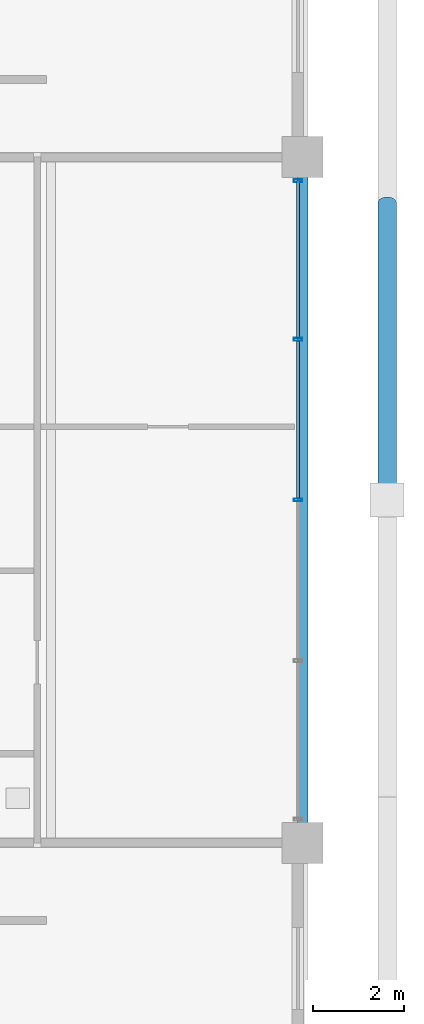
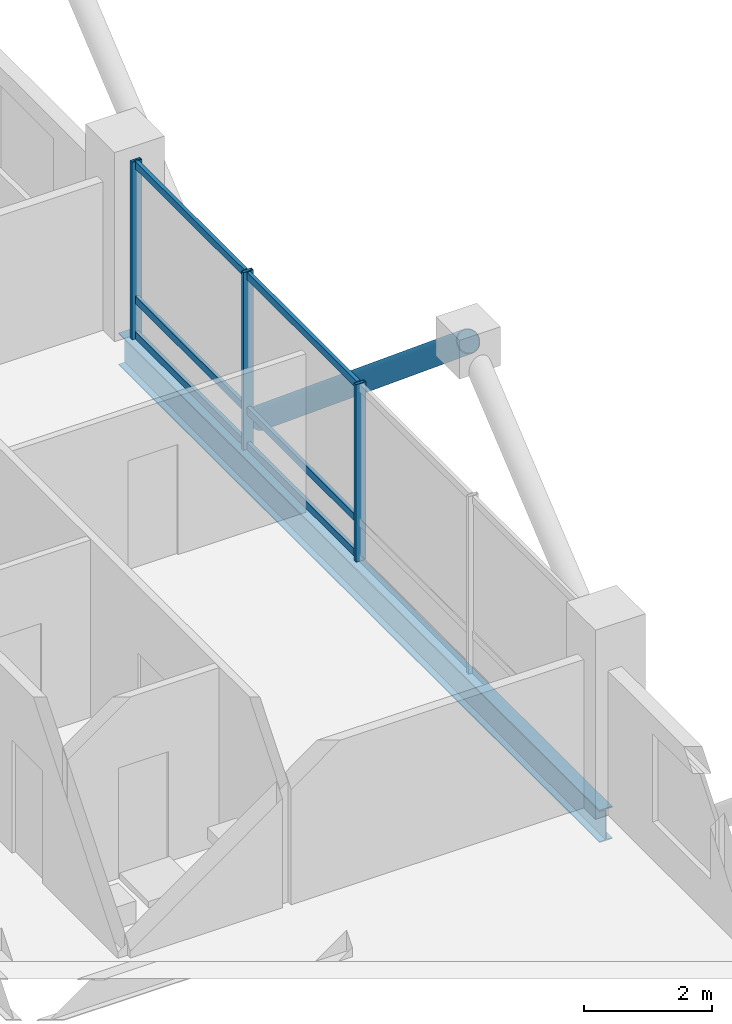
# One storey, part 12 of 23: 10 members, 1 beam, 1 element without a shape of its own.
"""IFC4 building model written with IfcOpenShell, lengths in metres."""

import ifcopenshell
import ifcopenshell.guid

model = None  # the IFC model being written
_history = None  # IfcOwnerHistory: only IFC2X3 demands one
_inside = {}  # id of a spatial element -> (the spatial element, [elements in it])
_under = {}  # id of a project, library or spatial element -> (it, [spatial elements below it])
_declared = {}  # id of a project -> (the project, [libraries it declares])
_typed = {}  # id of a type object -> (the type object, [elements of that type])
_made_of = {}  # id of a material, layer set ... -> (it, [elements and type objects made of it])


def new_model(schema):
    """Start an empty IFC model of exactly this schema.

    Asked for "IFC4X3", IfcOpenShell would pick the latest addendum, in which some entities
    have other attributes; the version numbers below select the first issue.
    IFC2X3 requires an IfcOwnerHistory on every rooted entity: one is made here for all.
    """
    global model, _history
    if schema == "IFC4X3":
        model = ifcopenshell.file(schema_version=(4, 3, 0, 0))
    else:
        model = ifcopenshell.file(schema=schema)
    _inside.clear()
    _under.clear()
    _declared.clear()
    _typed.clear()
    _made_of.clear()
    _history = None
    if model.schema == "IFC2X3":
        org = make("IfcOrganization", Name="unknown")
        user = make(
            "IfcPersonAndOrganization",
            ThePerson=make("IfcPerson", FamilyName="unknown"),
            TheOrganization=org,
        )
        app = make(
            "IfcApplication",
            ApplicationDeveloper=org,
            Version="unknown",
            ApplicationFullName="unknown",
            ApplicationIdentifier="unknown",
        )
        _history = make(
            "IfcOwnerHistory",
            OwningUser=user,
            OwningApplication=app,
            ChangeAction="ADDED",
            CreationDate=0,
        )
    return model


def make(cls, **values):
    """One entity of the class cls with the attributes given. An attribute that is None is left unset."""
    return model.create_entity(
        cls, **{name: value for name, value in values.items() if value is not None}
    )


def rooted(cls, **values):
    """An entity with a GlobalId (a new one), such as an element, a storey or a relation."""
    return make(cls, GlobalId=ifcopenshell.guid.new(), OwnerHistory=_history, **values)


def si_unit(unit_type, name, prefix=None):
    """IfcSIUnit, for example si_unit("LENGTHUNIT", "METRE", prefix="MILLI")."""
    return make("IfcSIUnit", UnitType=unit_type, Prefix=prefix, Name=name)


def assignment(units):
    """IfcUnitAssignment: the units of a project."""
    return None if units is None else make("IfcUnitAssignment", Units=units)


def point(xyz):
    """IfcCartesianPoint."""
    return None if xyz is None else make("IfcCartesianPoint", Coordinates=xyz)


def direction(xyz):
    """IfcDirection."""
    return None if xyz is None else make("IfcDirection", DirectionRatios=xyz)


def frame(location, z_axis=None, x_axis=None):
    """IfcAxis2Placement3D, a coordinate frame: its origin and axes. An axis left out is left unset."""
    return make(
        "IfcAxis2Placement3D",
        Location=point(location),
        Axis=direction(z_axis),
        RefDirection=direction(x_axis),
    )


def frame_2d(location, x_axis=None):
    """IfcAxis2Placement2D, a coordinate frame in the plane: its origin and x axis."""
    return make(
        "IfcAxis2Placement2D", Location=point(location), RefDirection=direction(x_axis)
    )


def origin():
    """The frame at (0, 0, 0) with its axes left unset."""
    return frame((0.0, 0.0, 0.0))


def origin_2d():
    """The frame at (0, 0) in the plane with its x axis left unset."""
    return frame_2d((0.0, 0.0))


def place(relative_to, where):
    """IfcLocalPlacement: puts the frame where relative to a parent placement (None: the world)."""
    return make(
        "IfcLocalPlacement", PlacementRelTo=relative_to, RelativePlacement=where
    )


def context(
    kind, dimensions, precision=None, world=None, true_north=None, identifier=None
):
    """IfcGeometricRepresentationContext, for example the 3D "Model" context."""
    return make(
        "IfcGeometricRepresentationContext",
        ContextIdentifier=identifier,
        ContextType=kind,
        CoordinateSpaceDimension=dimensions,
        Precision=precision,
        WorldCoordinateSystem=world,
        TrueNorth=true_north,
    )


def subcontext(parent, identifier, kind, view, scale=None):
    """IfcGeometricRepresentationSubContext, for example "Body" below "Model"."""
    return make(
        "IfcGeometricRepresentationSubContext",
        ContextIdentifier=identifier,
        ContextType=kind,
        ParentContext=parent,
        TargetScale=scale,
        TargetView=view,
    )


def project(units=None, contexts=None):
    """IfcProject with its units and contexts."""
    return rooted(
        "IfcProject",
        Name="project",
        RepresentationContexts=contexts,
        UnitsInContext=assignment(units),
    )


def spatial(cls, under=None, at=None, **own):
    """A site, building, storey or space (cls), placed at a placement, below another one or the project."""
    s = rooted(cls, ObjectPlacement=at, **own)
    if under is not None:
        _under.setdefault(under.id(), (under, []))[1].append(s)
    return s


def profile(cls, at=None, kind="AREA", **sizes):
    """A parametric profile (cls). Its sizes go by their IFC names, for example OverallWidth=200.0."""
    return make(cls, ProfileType=kind, Position=at, **sizes)


def hollow_rectangle(**sizes):
    """IfcRectangleHollowProfileDef."""
    return profile("IfcRectangleHollowProfileDef", **sizes)


def hollow_circle(**sizes):
    """IfcCircleHollowProfileDef."""
    return profile("IfcCircleHollowProfileDef", **sizes)


def i_section(**sizes):
    """IfcIShapeProfileDef."""
    return profile("IfcIShapeProfileDef", **sizes)


def extrude(swept, where, along, depth):
    """IfcExtrudedAreaSolid: the profile swept, set in the frame where, extruded along a direction by depth."""
    return make(
        "IfcExtrudedAreaSolid",
        SweptArea=swept,
        Position=where,
        ExtrudedDirection=direction(along),
        Depth=depth,
    )


def shape(context_of_items, identifier, shape_type, items):
    """IfcShapeRepresentation: the items that make up one representation, for example the "Body"."""
    return make(
        "IfcShapeRepresentation",
        ContextOfItems=context_of_items,
        RepresentationIdentifier=identifier,
        RepresentationType=shape_type,
        Items=items,
    )


def material(Name=None, Category=None):
    """IfcMaterial."""
    return make("IfcMaterial", Name=Name, Category=Category)


def layer(
    of_material, thickness, ventilated=None, Name=None, Category=None, Priority=None
):
    """IfcMaterialLayer: one layer of a wall or slab, of a material (None: an air gap)."""
    return make(
        "IfcMaterialLayer",
        Material=of_material,
        LayerThickness=thickness,
        IsVentilated=ventilated,
        Name=Name,
        Category=Category,
        Priority=Priority,
    )


def layer_set(layers, Name=None):
    """IfcMaterialLayerSet."""
    return make("IfcMaterialLayerSet", MaterialLayers=layers, LayerSetName=Name)


def material_profile(
    of_material, cross_section, Name=None, Category=None, Priority=None
):
    """IfcMaterialProfile: a cross section and its material."""
    return make(
        "IfcMaterialProfile",
        Name=Name,
        Material=of_material,
        Profile=cross_section,
        Priority=Priority,
        Category=Category,
    )


def profile_set(profiles, Name=None, composite=None):
    """IfcMaterialProfileSet."""
    return make(
        "IfcMaterialProfileSet",
        Name=Name,
        MaterialProfiles=profiles,
        CompositeProfile=composite,
    )


def made_of(thing, what):
    """Note that an element or type object is made of a material, layer set ...; save() writes the relation."""
    if what is not None:
        _made_of.setdefault(what.id(), (what, []))[1].append(thing)
    return thing


def type_object(cls, material=None, **own):
    """A type object (cls), such as IfcWallType, which elements share."""
    return made_of(rooted(cls, **own), material)


def element(
    cls,
    number,
    at=None,
    inside=None,
    cuts=None,
    type_object=None,
    material=None,
    context=None,
    identifier="Body",
    shape_type=None,
    held_by="IfcProductDefinitionShape",
    body=None,
    shapes=None,
    **own,
):
    """One element of the class cls, such as IfcWall. Its Tag is "e" and its number.

    at: its placement. inside: the storey or other place that contains it. cuts: it is an
    opening in that element (IfcRelVoidsElement). A single representation is given by context,
    identifier, shape_type and body (its items); several are given by shapes. held_by: the class
    of the entity that holds the representations. save() writes the other relations.
    """
    e = rooted(cls, Tag="e%d" % number, ObjectPlacement=at, **own)
    if body is not None:
        shapes = [shape(context, identifier, shape_type, body)]
    if shapes is not None:
        e.Representation = make(held_by, Representations=shapes)
    if inside is not None:
        _inside.setdefault(inside.id(), (inside, []))[1].append(e)
    if cuts is not None:
        rooted(
            "IfcRelVoidsElement", RelatingBuildingElement=cuts, RelatedOpeningElement=e
        )
    if type_object is not None:
        _typed.setdefault(type_object.id(), (type_object, []))[1].append(e)
    return made_of(e, material)


def aggregate(whole, parts):
    """IfcRelAggregates: a whole, such as a stair, and the parts it consists of."""
    return rooted("IfcRelAggregates", RelatingObject=whole, RelatedObjects=parts)


def save(model, path):
    """Write the relations noted so far, then the file.

    IfcRelAggregates (storeys below a building ...), IfcRelContainedInSpatialStructure (elements
    in a storey), IfcRelDefinesByType, IfcRelAssociatesMaterial and IfcRelDeclares: one each for
    every whole, place, type object, material and project.
    """
    for whole, parts in _under.values():
        aggregate(whole, parts)
    for where, things in _inside.values():
        rooted(
            "IfcRelContainedInSpatialStructure",
            RelatedElements=things,
            RelatingStructure=where,
        )
    for kind, things in _typed.values():
        rooted("IfcRelDefinesByType", RelatedObjects=things, RelatingType=kind)
    for what, things in _made_of.values():
        rooted("IfcRelAssociatesMaterial", RelatedObjects=things, RelatingMaterial=what)
    for by, libraries in _declared.values():
        rooted("IfcRelDeclares", RelatingContext=by, RelatedDefinitions=libraries)
    model.write(path)


model = new_model("IFC4")

# Units and contexts
model_context = context("Model", 3, precision=1e-05, world=origin(), true_north=direction((0.0, 1.0)))
body_context = subcontext(model_context, "Body", "Model", "MODEL_VIEW")
ifc_project = project(units=[si_unit("LENGTHUNIT", "METRE"), si_unit("AREAUNIT", "SQUARE_METRE"), si_unit("VOLUMEUNIT", "CUBIC_METRE"), si_unit("PLANEANGLEUNIT", "RADIAN"), si_unit("MASSUNIT", "GRAM", prefix="KILO")], contexts=[model_context])

# Site, building, storey
site_placement = place(None, origin())
site = spatial("IfcSite", under=ifc_project, at=site_placement, CompositionType="ELEMENT")
building_placement = place(site_placement, origin())
building = spatial("IfcBuilding", under=site, at=building_placement, Name="Barlavira Tower and Art Museum", CompositionType="ELEMENT")
storey_placement = place(building_placement, frame((0.0, 0.0, 290.699951171875)))
storey = spatial("IfcBuildingStorey", under=building, at=storey_placement, Name="L76", CompositionType="ELEMENT", Elevation=290.699951171875)

# Curtain wall, members
ifc_material_1 = material(Name="Low-iron coastal laminated glass", Category="glass")
ifc_layer = layer(ifc_material_1, 0.2099609375, Name="Low-iron coastal laminated glass")
ifc_layer_set = layer_set([ifc_layer], Name="Low-iron coastal laminated glass")
curtain_wall_type = type_object("IfcCurtainWallType", Name="Pale-Metal Unitised Curtain Wall Zone 4", PredefinedType="NOTDEFINED", material=ifc_layer_set)
curtain_wall_placement = place(storey_placement, origin())
curtain_wall = element("IfcCurtainWall", 1, at=curtain_wall_placement, inside=storey, type_object=curtain_wall_type, Name="L76 Curtain Wall CW4-L76-E-B3", PredefinedType="NOTDEFINED")
ifc_material_2 = material(Name="Pale anodised aluminium", Category="aluminium")
ifc_material_profile_1 = material_profile(ifc_material_2, hollow_rectangle(XDim=0.06494140625, YDim=0.179931640625, WallThickness=0.00390625, at=origin_2d()), Name="ALU-MULL 65x180x4")
ifc_profile_set_1 = profile_set([ifc_material_profile_1], Name="Pale anodised aluminium")
member_type_1 = type_object("IfcMemberType", Name="Curtain Wall Pale-Metal Mullion 65x180", PredefinedType="MULLION", material=ifc_profile_set_1)
member_1_placement = place(storey_placement, frame((16.89990234375, 0.0, 0.0), z_axis=(0.0, 0.0, 1.0), x_axis=(0.0, 1.0, 0.0)))
member_1 = element("IfcMember", 2, at=member_1_placement, type_object=member_type_1, Name="CW4-L76-E-B3 Mullion 2", PredefinedType="MULLION", context=body_context, shape_type="SweptSolid", body=[
    extrude(hollow_rectangle(XDim=0.06494140625, YDim=0.179931640625, WallThickness=0.00390625, at=origin_2d()), origin(), (0.0, 0.0, 1.0), 3.380126953125),
])
member_2_placement = place(storey_placement, frame((16.89990234375, 3.514892578125, 0.0), z_axis=(0.0, 0.0, 1.0), x_axis=(0.0, 1.0, 0.0)))
member_2 = element("IfcMember", 3, at=member_2_placement, type_object=member_type_1, Name="CW4-L76-E-B3 Mullion 3", PredefinedType="MULLION", context=body_context, shape_type="SweptSolid", body=[
    extrude(hollow_rectangle(XDim=0.06494140625, YDim=0.179931640625, WallThickness=0.00390625, at=origin_2d()), origin(), (0.0, 0.0, 1.0), 3.380126953125),
])
member_3_placement = place(storey_placement, frame((16.89990234375, 6.985107421875, 0.0), z_axis=(0.0, 0.0, 1.0), x_axis=(0.0, 1.0, 0.0)))
member_3 = element("IfcMember", 4, at=member_3_placement, type_object=member_type_1, Name="CW4-L76-E-B3 Mullion 4", PredefinedType="MULLION", context=body_context, shape_type="SweptSolid", body=[
    extrude(hollow_rectangle(XDim=0.06494140625, YDim=0.179931640625, WallThickness=0.00390625, at=origin_2d()), origin(), (0.0, 0.0, 1.0), 3.380126953125),
])
ifc_material_profile_2 = material_profile(ifc_material_2, hollow_rectangle(XDim=0.06494140625, YDim=0.139892578125, WallThickness=0.00390625, at=origin_2d()), Name="ALU-TRAN 65x140x4")
ifc_profile_set_2 = profile_set([ifc_material_profile_2], Name="Pale anodised aluminium")
member_type_2 = type_object("IfcMemberType", Name="Curtain Wall Pale-Metal Transom 65x140", PredefinedType="USERDEFINED", material=ifc_profile_set_2)
member_4_placement = place(storey_placement, frame((16.89990234375, 0.044921875, 0.070068359375), z_axis=(0.0, 1.0, 0.0), x_axis=(-1.0, 0.0, 0.0)))
member_4 = element("IfcMember", 5, at=member_4_placement, type_object=member_type_2, Name="CW4-L76-E-B3 Transom 2.1", ObjectType="TRANSOM", PredefinedType="USERDEFINED", context=body_context, shape_type="SweptSolid", body=[
    extrude(hollow_rectangle(XDim=0.06494140625, YDim=0.139892578125, WallThickness=0.00390625, at=origin_2d()), origin(), (0.0, 0.0, 1.0), 3.425048828125),
])
member_5_placement = place(storey_placement, frame((16.89990234375, 0.044921875, 0.744140625), z_axis=(0.0, 1.0, 0.0), x_axis=(-1.0, 0.0, 0.0)))
member_5 = element("IfcMember", 6, at=member_5_placement, type_object=member_type_2, Name="CW4-L76-E-B3 Transom 2.2", ObjectType="TRANSOM", PredefinedType="USERDEFINED", context=body_context, shape_type="SweptSolid", body=[
    extrude(hollow_rectangle(XDim=0.06494140625, YDim=0.139892578125, WallThickness=0.00390625, at=origin_2d()), origin(), (0.0, 0.0, 1.0), 3.425048828125),
])
member_6_placement = place(storey_placement, frame((16.89990234375, 0.044921875, 3.31005859375), z_axis=(0.0, 1.0, 0.0), x_axis=(-1.0, 0.0, 0.0)))
member_6 = element("IfcMember", 7, at=member_6_placement, type_object=member_type_2, Name="CW4-L76-E-B3 Transom 2.3", ObjectType="TRANSOM", PredefinedType="USERDEFINED", context=body_context, shape_type="SweptSolid", body=[
    extrude(hollow_rectangle(XDim=0.06494140625, YDim=0.139892578125, WallThickness=0.00390625, at=origin_2d()), origin(), (0.0, 0.0, 1.0), 3.425048828125),
])
member_7_placement = place(storey_placement, frame((16.89990234375, 3.56005859375, 0.070068359375), z_axis=(0.0, 1.0, 0.0), x_axis=(-1.0, 0.0, 0.0)))
member_7 = element("IfcMember", 8, at=member_7_placement, type_object=member_type_2, Name="CW4-L76-E-B3 Transom 3.1", ObjectType="TRANSOM", PredefinedType="USERDEFINED", context=body_context, shape_type="SweptSolid", body=[
    extrude(hollow_rectangle(XDim=0.06494140625, YDim=0.139892578125, WallThickness=0.00390625, at=origin_2d()), origin(), (0.0, 0.0, 1.0), 3.425048828125),
])
member_8_placement = place(storey_placement, frame((16.89990234375, 3.56005859375, 0.744140625), z_axis=(0.0, 1.0, 0.0), x_axis=(-1.0, 0.0, 0.0)))
member_8 = element("IfcMember", 9, at=member_8_placement, type_object=member_type_2, Name="CW4-L76-E-B3 Transom 3.2", ObjectType="TRANSOM", PredefinedType="USERDEFINED", context=body_context, shape_type="SweptSolid", body=[
    extrude(hollow_rectangle(XDim=0.06494140625, YDim=0.139892578125, WallThickness=0.00390625, at=origin_2d()), origin(), (0.0, 0.0, 1.0), 3.425048828125),
])
member_9_placement = place(storey_placement, frame((16.89990234375, 3.56005859375, 3.31005859375), z_axis=(0.0, 1.0, 0.0), x_axis=(-1.0, 0.0, 0.0)))
member_9 = element("IfcMember", 10, at=member_9_placement, type_object=member_type_2, Name="CW4-L76-E-B3 Transom 3.3", ObjectType="TRANSOM", PredefinedType="USERDEFINED", context=body_context, shape_type="SweptSolid", body=[
    extrude(hollow_rectangle(XDim=0.06494140625, YDim=0.139892578125, WallThickness=0.00390625, at=origin_2d()), origin(), (0.0, 0.0, 1.0), 3.425048828125),
])
aggregate(curtain_wall, [member_1, member_2, member_3, member_4, member_5, member_6, member_7, member_8, member_9])

# Member
ifc_material_3 = material(Name="Steel S355", Category="steel")
ifc_material_profile_3 = material_profile(ifc_material_3, hollow_circle(Radius=0.203125, WallThickness=0.01611328125, at=origin_2d()), Name="CHS 406.4x16.0")
ifc_profile_set_3 = profile_set([ifc_material_profile_3], Name="Steel S355")
member_type_3 = type_object("IfcMemberType", Name="Pale-Metal Exoskeleton Diagrid Tube CHS 406x16 Steel S355", PredefinedType="BRACE", material=ifc_profile_set_3)
member_10_placement = place(storey_placement, frame((18.85009765625, 6.5, -1.919921875), z_axis=(0.0, -0.769196053329, 0.639012857104), x_axis=(1.0, 0.0, 0.0)))
element("IfcMember", 11, at=member_10_placement, inside=storey, type_object=member_type_3, Name="L76 Exoskeleton Diagrid Tube E", PredefinedType="BRACE", context=body_context, shape_type="SweptSolid", body=[
    extrude(hollow_circle(Radius=0.203125, WallThickness=0.01611328125, at=origin_2d()), origin(), (0.0, 0.0, 1.0), 8.450439453125),
])

# Beam
ifc_material_profile_4 = material_profile(ifc_material_3, i_section(OverallWidth=0.22998046875, OverallDepth=0.616943359375, WebThickness=0.01318359375, FlangeThickness=0.022216796875, at=origin_2d()), Name="W610x140.0")
ifc_profile_set_4 = profile_set([ifc_material_profile_4], Name="Steel S355")
beam_type = type_object("IfcBeamType", Name="Upper Shaft Spandrel Edge Beam W610x140 Steel S355", PredefinedType="SPANDREL", material=ifc_profile_set_4)
beam_placement = place(storey_placement, frame((17.0, -7.5, -0.528564453125), z_axis=(0.0, 1.0, 0.0), x_axis=(-1.0, 0.0, 0.0)))
element("IfcBeam", 12, at=beam_placement, inside=storey, type_object=beam_type, Name="L76 Spandrel 6", PredefinedType="SPANDREL", context=body_context, shape_type="SweptSolid", body=[
    extrude(i_section(OverallWidth=0.22998046875, OverallDepth=0.616943359375, WebThickness=0.01318359375, FlangeThickness=0.022216796875, at=origin_2d()), origin(), (0.0, 0.0, 1.0), 15.0),
])

save(model, "model.ifc")
